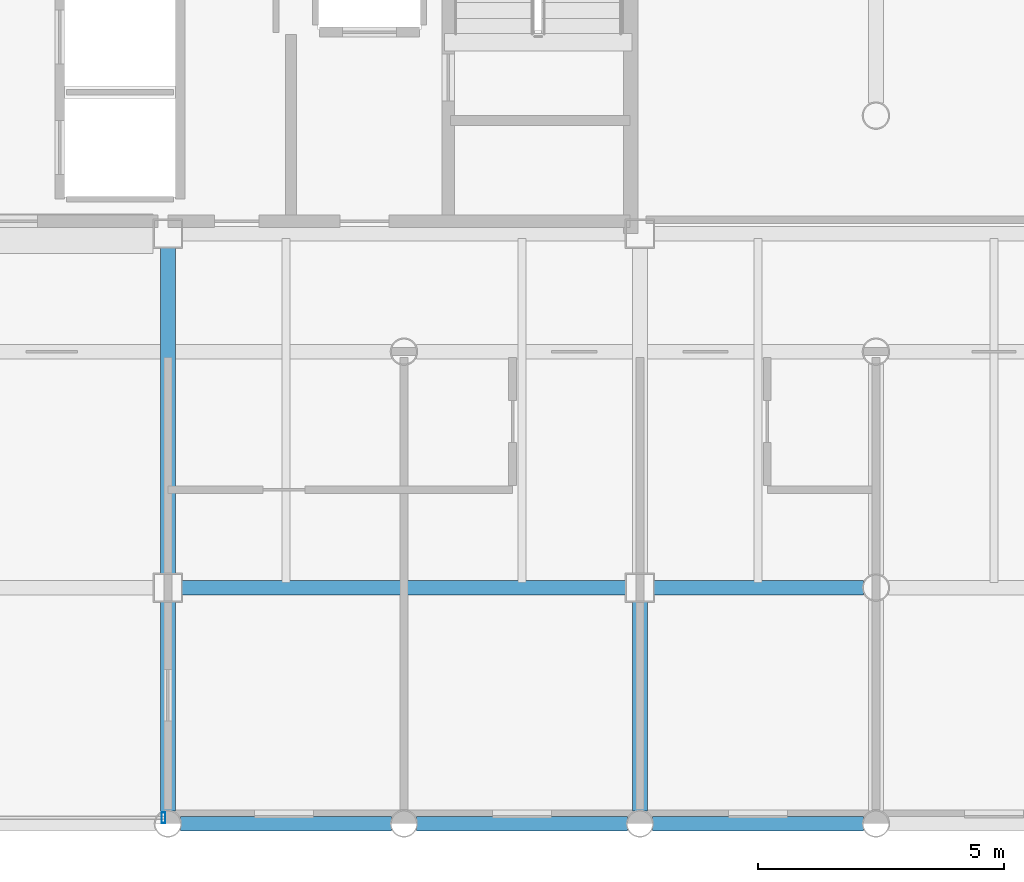
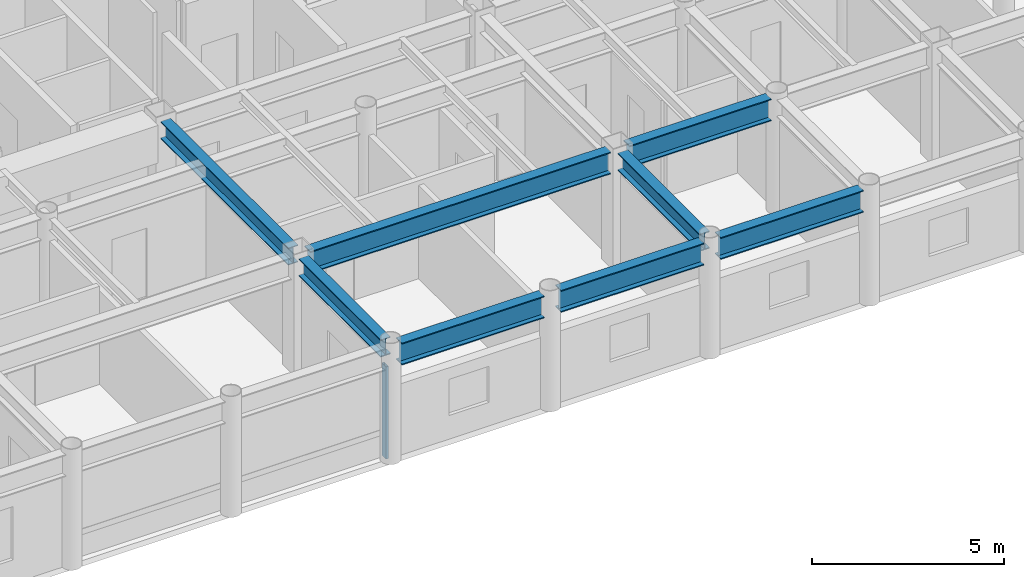
# One storey, part 8 of 23: 8 beams, 1 member, 1 element without a shape of its own.
"""IFC4 building model written with IfcOpenShell, lengths in metres."""

from ifc_helpers import new_model, si_unit, direction, frame, origin, origin_2d, place, context, subcontext, project, spatial, hollow_rectangle, i_section, extrude, material, layer, layer_set, material_profile, profile_set, type_object, element, aggregate, save


model = new_model("IFC4")

# Units and contexts
model_context = context("Model", 3, precision=1e-05, world=origin(), true_north=direction((0.0, 1.0)))
body_context = subcontext(model_context, "Body", "Model", "MODEL_VIEW")
ifc_project = project(units=[si_unit("LENGTHUNIT", "METRE"), si_unit("AREAUNIT", "SQUARE_METRE"), si_unit("VOLUMEUNIT", "CUBIC_METRE"), si_unit("PLANEANGLEUNIT", "RADIAN"), si_unit("MASSUNIT", "GRAM", prefix="KILO")], contexts=[model_context])

# Site, building, storey
site_placement = place(None, origin())
site = spatial("IfcSite", under=ifc_project, at=site_placement, CompositionType="ELEMENT")
building_placement = place(site_placement, origin())
building = spatial("IfcBuilding", under=site, at=building_placement, Name="Kallvorn Hotel Tower", CompositionType="ELEMENT")
storey_placement = place(building_placement, frame((0.0, 0.0, 237.699951171875)))
storey = spatial("IfcBuildingStorey", under=building, at=storey_placement, Name="L59", CompositionType="ELEMENT", Elevation=237.699951171875)

# Beams
ifc_material_1 = material(Name="Structural steel S355JR", Category="steel")
ifc_material_profile_1 = material_profile(ifc_material_1, i_section(OverallWidth=0.300048828125, OverallDepth=0.550048828125, WebThickness=0.014892578125, FlangeThickness=0.029052734375, at=origin_2d()), Name="HE 550 B")
ifc_profile_set_1 = profile_set([ifc_material_profile_1], Name="Structural steel S355JR")
beam_type_1 = type_object("IfcBeamType", Name="BM_HE550B", PredefinedType="SPANDREL", material=ifc_profile_set_1)
beam_1_placement = place(storey_placement, frame((4.800048828125, -18.945556640625, 3.39501953125), z_axis=(0.0, 1.0, 0.0), x_axis=(-1.0, 0.0, 0.0)))
element("IfcBeam", 1, at=beam_1_placement, inside=storey, type_object=beam_type_1, Name="L60 Primary Y-Girder 113", PredefinedType="SPANDREL", context=body_context, shape_type="SweptSolid", body=[
    extrude(i_section(OverallWidth=0.300048828125, OverallDepth=0.550048828125, WebThickness=0.014892578125, FlangeThickness=0.029052734375, at=origin_2d()), origin(), (0.0, 0.0, 1.0), 4.2705078125),
])
beam_2_placement = place(storey_placement, frame((4.800048828125, -14.125, 3.39501953125), z_axis=(0.0, 1.0, 0.0), x_axis=(-1.0, 0.0, 0.0)))
element("IfcBeam", 2, at=beam_2_placement, inside=storey, type_object=beam_type_1, Name="L60 Primary Y-Girder 114", PredefinedType="SPANDREL", context=body_context, shape_type="SweptSolid", body=[
    extrude(i_section(OverallWidth=0.300048828125, OverallDepth=0.550048828125, WebThickness=0.014892578125, FlangeThickness=0.029052734375, at=origin_2d()), origin(), (0.0, 0.0, 1.0), 6.64990234375),
])
beam_3_placement = place(storey_placement, frame((14.39990234375, -18.945556640625, 3.39501953125), z_axis=(0.0, 1.0, 0.0), x_axis=(-1.0, 0.0, 0.0)))
element("IfcBeam", 3, at=beam_3_placement, inside=storey, type_object=beam_type_1, Name="L60 Primary Y-Girder 121", PredefinedType="SPANDREL", context=body_context, shape_type="SweptSolid", body=[
    extrude(i_section(OverallWidth=0.300048828125, OverallDepth=0.550048828125, WebThickness=0.014892578125, FlangeThickness=0.029052734375, at=origin_2d()), origin(), (0.0, 0.0, 1.0), 4.2705078125),
])
ifc_material_2 = material(Name="Structural steel S355JR", Category="steel")
ifc_material_profile_2 = material_profile(ifc_material_2, i_section(OverallWidth=0.300048828125, OverallDepth=0.699951171875, WebThickness=0.01708984375, FlangeThickness=0.031982421875, at=origin_2d()), Name="HE 700 B")
ifc_profile_set_2 = profile_set([ifc_material_profile_2], Name="Structural steel S355JR")
beam_type_2 = type_object("IfcBeamType", Name="BM_HE700B", PredefinedType="BEAM", material=ifc_profile_set_2)
for number, where, z_axis, x_axis, name in (
    (4, (5.054443359375, -19.199951171875, 3.320068359375), (1.0, 0.0, 0.0), (0.0, 1.0, 0.0), "L60 Primary X-Girder 08"),
    (5, (9.8544921875, -19.199951171875, 3.320068359375), (1.0, 0.0, 0.0), (0.0, 1.0, 0.0), "L60 Primary X-Girder 09"),
    (6, (14.654541015625, -19.199951171875, 3.320068359375), (1.0, 0.0, 0.0), (0.0, 1.0, 0.0), "L60 Primary X-Girder 10"),
):
    element("IfcBeam", number, at=place(storey_placement, frame(where, z_axis=z_axis, x_axis=x_axis)), inside=storey, type_object=beam_type_2, Name=name, PredefinedType="BEAM", context=body_context, shape_type="SweptSolid", body=[
        extrude(i_section(OverallWidth=0.300048828125, OverallDepth=0.699951171875, WebThickness=0.01708984375, FlangeThickness=0.031982421875, at=origin_2d()), origin(), (0.0, 0.0, 1.0), 4.291015625),
    ])
beam_4_placement = place(storey_placement, frame((5.074951171875, -14.39990234375, 3.320068359375), z_axis=(1.0, 0.0, 0.0), x_axis=(0.0, 1.0, 0.0)))
element("IfcBeam", 7, at=beam_4_placement, inside=storey, type_object=beam_type_2, Name="L60 Primary X-Girder 18", PredefinedType="BEAM", context=body_context, shape_type="SweptSolid", body=[
    extrude(i_section(OverallWidth=0.300048828125, OverallDepth=0.699951171875, WebThickness=0.01708984375, FlangeThickness=0.031982421875, at=origin_2d()), origin(), (0.0, 0.0, 1.0), 9.050048828125),
])
beam_5_placement = place(storey_placement, frame((14.675048828125, -14.39990234375, 3.320068359375), z_axis=(1.0, 0.0, 0.0), x_axis=(0.0, 1.0, 0.0)))
element("IfcBeam", 8, at=beam_5_placement, inside=storey, type_object=beam_type_2, Name="L60 Primary X-Girder 19", PredefinedType="BEAM", context=body_context, shape_type="SweptSolid", body=[
    extrude(i_section(OverallWidth=0.300048828125, OverallDepth=0.699951171875, WebThickness=0.01708984375, FlangeThickness=0.031982421875, at=origin_2d()), origin(), (0.0, 0.0, 1.0), 4.2705078125),
])

# Curtain wall, member
ifc_material_3 = material(Name="Thermally broken black-anodised aluminium AA 6063-T6", Category="aluminium")
ifc_layer = layer(ifc_material_3, 0.22998046875)
ifc_layer_set = layer_set([ifc_layer], Name="CW_SYS_5_HOTEL_HIGH")
curtain_wall_type = type_object("IfcCurtainWallType", Name="CW_SYS_5_HOTEL_HIGH", PredefinedType="USERDEFINED", material=ifc_layer_set)
curtain_wall_placement = place(storey_placement, origin())
curtain_wall = element("IfcCurtainWall", 9, at=curtain_wall_placement, inside=storey, type_object=curtain_wall_type, Name="L59 Dark-Glass Curtain Wall CW-L59-SC", ObjectType="UNITISED CURTAIN WALL", PredefinedType="USERDEFINED")
ifc_material_4 = material(Name="Thermally broken black-anodised aluminium AA 6063-T6", Category="aluminium")
ifc_material_profile_3 = material_profile(ifc_material_4, hollow_rectangle(XDim=0.080078125, YDim=0.219970703125, WallThickness=0.0048828125, at=origin_2d()), Name="MUL 220x80")
ifc_profile_set_3 = profile_set([ifc_material_profile_3], Name="Thermally broken black-anodised aluminium AA 6063-T6")
member_type = type_object("IfcMemberType", Name="CW_MULLION_220x80", PredefinedType="MULLION", material=ifc_profile_set_3)
member_placement = place(storey_placement, frame((4.7099609375, -19.080078125, 0.02001953125), z_axis=(0.0, 0.0, 1.0), x_axis=(1.0, 0.0, 0.0)))
member = element("IfcMember", 10, at=member_placement, type_object=member_type, Name="CW-L59-SC Mullion 02", PredefinedType="MULLION", context=body_context, shape_type="SweptSolid", body=[
    extrude(hollow_rectangle(XDim=0.080078125, YDim=0.219970703125, WallThickness=0.0048828125, at=origin_2d()), origin(), (0.0, 0.0, 1.0), 2.929931640625),
])
aggregate(curtain_wall, [member])

save(model, "model.ifc")
